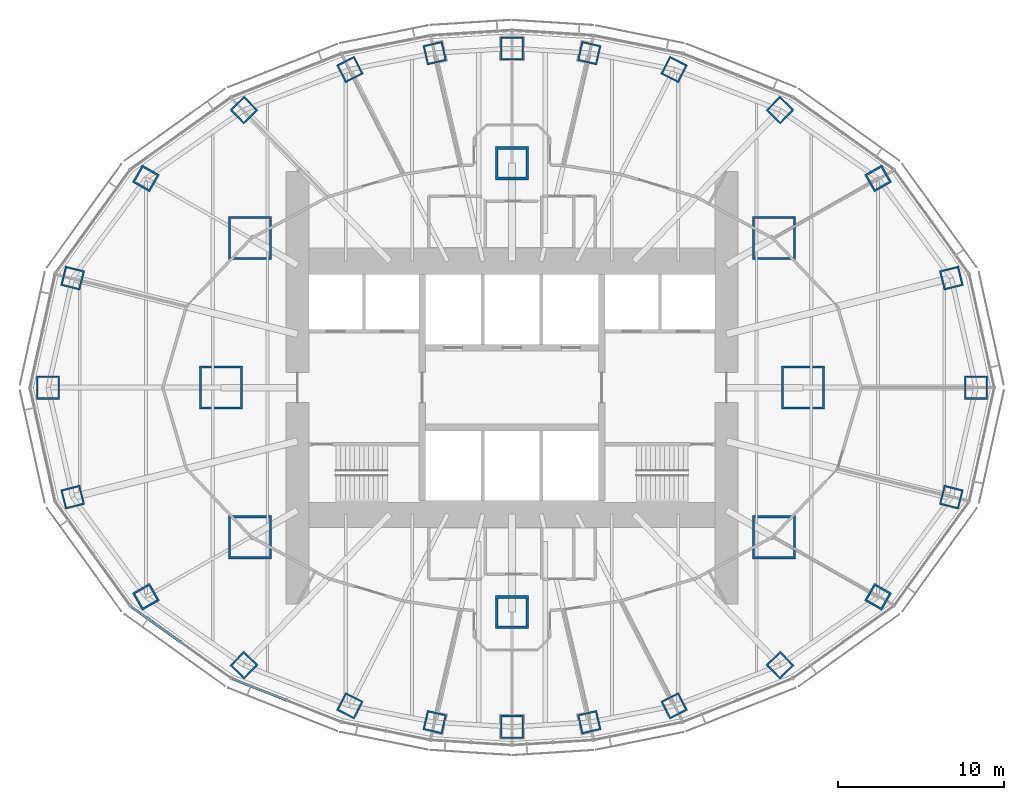
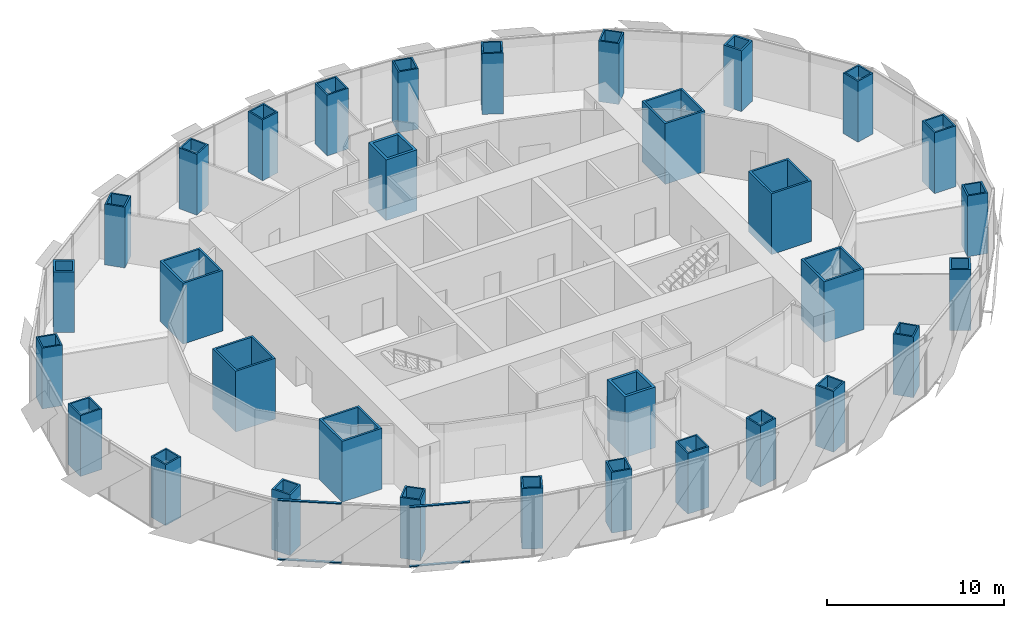
# One storey, part 1 of 18: 32 columns, 4 members, 2 elements without a shape of their own.
"""IFC4 building model written with IfcOpenShell, lengths in metres."""

from ifc_helpers import new_model, si_unit, direction, frame, origin, origin_2d, place, context, subcontext, project, spatial, rectangle, hollow_rectangle, extrude, material, material_profile, profile_set, type_object, element, aggregate, save


model = new_model("IFC4")

# Units and contexts
model_context = context("Model", 3, precision=1e-05, world=origin(), true_north=direction((0.0, 1.0)))
body_context = subcontext(model_context, "Body", "Model", "MODEL_VIEW")
ifc_project = project(units=[si_unit("LENGTHUNIT", "METRE"), si_unit("AREAUNIT", "SQUARE_METRE"), si_unit("VOLUMEUNIT", "CUBIC_METRE"), si_unit("PLANEANGLEUNIT", "RADIAN"), si_unit("MASSUNIT", "GRAM", prefix="KILO")], contexts=[model_context])

# Site, building, storey
site_placement = place(None, origin())
site = spatial("IfcSite", under=ifc_project, at=site_placement, CompositionType="ELEMENT")
building_placement = place(site_placement, origin())
building = spatial("IfcBuilding", under=site, at=building_placement, Name="Lantaw Convention Tower", CompositionType="ELEMENT")
storey_placement = place(building_placement, frame((0.0, 0.0, 146.800048828125)))
storey = spatial("IfcBuildingStorey", under=building, at=storey_placement, Name="L34", CompositionType="ELEMENT", Elevation=146.800048828125)

# Columns
ifc_material_1 = material(Name="Steel EN 10025-3 S460N", Category="steel")
ifc_material_profile_1 = material_profile(ifc_material_1, hollow_rectangle(XDim=2.0, YDim=2.0, WallThickness=0.169921875, at=origin_2d()), Name="BOX2000X170")
ifc_material_2 = material(Name="Concrete C60/75", Category="concrete")
ifc_material_profile_2 = material_profile(ifc_material_2, rectangle(XDim=1.659912109375, YDim=1.659912109375, at=origin_2d()), Name="Concrete fill of BOX2000X170")
ifc_profile_set_1 = profile_set([ifc_material_profile_1, ifc_material_profile_2], Name="Steel EN 10025-3 S460N")
column_type_1 = type_object("IfcColumnType", Name="Column MC BOX2000X170", PredefinedType="COLUMN", material=ifc_profile_set_1)
for number, where, z_axis, x_axis, name in (
    (1, (0.0, 13.5, 0.0), (0.0, 0.0, 1.0), (1.0, 0.0, 0.0), "Mega column M3"),
    (2, (0.0, -13.5, 0.0), (0.0, 0.0, 1.0), (1.0, 0.0, 0.0), "Mega column M7"),
):
    element("IfcColumn", number, at=place(storey_placement, frame(where, z_axis=z_axis, x_axis=x_axis)), inside=storey, type_object=column_type_1, Name=name, PredefinedType="COLUMN", context=body_context, shape_type="SweptSolid", body=[
        extrude(hollow_rectangle(XDim=2.0, YDim=2.0, WallThickness=0.169921875, at=origin_2d()), origin(), (0.0, 0.0, 1.0), 4.199951171875),
    ])
ifc_material_profile_3 = material_profile(ifc_material_1, hollow_rectangle(XDim=2.60009765625, YDim=2.60009765625, WallThickness=0.1298828125, at=origin_2d()), Name="BOX2600X130")
ifc_material_profile_4 = material_profile(ifc_material_2, rectangle(XDim=2.340087890625, YDim=2.340087890625, at=origin_2d()), Name="Concrete fill of BOX2600X130")
ifc_profile_set_2 = profile_set([ifc_material_profile_3, ifc_material_profile_4], Name="Steel EN 10025-3 S460N")
column_type_2 = type_object("IfcColumnType", Name="Column MC BOX2600X130", PredefinedType="COLUMN", material=ifc_profile_set_2)
for number, where, z_axis, x_axis, name in (
    (3, (17.5, 0.0, 0.0), (0.0, 0.0, 1.0), (1.0, 0.0, 0.0), "Mega column M1"),
    (4, (15.75, 9.0, 0.0), (0.0, 0.0, 1.0), (1.0, 0.0, 0.0), "Mega column M2"),
    (5, (-15.75, 9.0, 0.0), (0.0, 0.0, 1.0), (1.0, 0.0, 0.0), "Mega column M4"),
    (6, (-17.5, 0.0, 0.0), (0.0, 0.0, 1.0), (1.0, 0.0, 0.0), "Mega column M5"),
    (7, (-15.75, -9.0, 0.0), (0.0, 0.0, 1.0), (1.0, 0.0, 0.0), "Mega column M6"),
    (8, (15.75, -9.0, 0.0), (0.0, 0.0, 1.0), (1.0, 0.0, 0.0), "Mega column M8"),
):
    element("IfcColumn", number, at=place(storey_placement, frame(where, z_axis=z_axis, x_axis=x_axis)), inside=storey, type_object=column_type_2, Name=name, PredefinedType="COLUMN", context=body_context, shape_type="SweptSolid", body=[
        extrude(hollow_rectangle(XDim=2.60009765625, YDim=2.60009765625, WallThickness=0.1298828125, at=origin_2d()), origin(), (0.0, 0.0, 1.0), 4.199951171875),
    ])
ifc_material_profile_5 = material_profile(ifc_material_1, hollow_rectangle(XDim=1.199951171875, YDim=1.199951171875, WallThickness=0.10009765625, at=origin_2d()), Name="BOX1200X100")
ifc_material_profile_6 = material_profile(ifc_material_2, rectangle(XDim=1.0, YDim=1.0, at=origin_2d()), Name="Concrete fill of BOX1200X100")
ifc_profile_set_3 = profile_set([ifc_material_profile_5, ifc_material_profile_6], Name="Steel EN 10025-3 S460N")
column_type_3 = type_object("IfcColumnType", Name="Column PC BOX1200X100", PredefinedType="COLUMN", material=ifc_profile_set_3)
for number, where, z_axis, x_axis, name in (
    (9, (26.419921875, 6.587158203125, 0.0), (0.0, 0.0, 1.0), (0.970295726276, 0.2419218956, 0.0), "Perimeter column P2"),
    (10, (16.11767578125, 16.690185546875, 0.0), (0.0, 0.0, 1.0), (0.694658370459, 0.719339800339, 0.0), "Perimeter column P4"),
    (11, (9.74853515625, 19.1328125, 0.0), (0.0, 0.0, 1.0), (0.45399049974, 0.891006524188, 0.0), "Perimeter column P5"),
    (12, (4.64501953125, 20.1201171875, 0.0), (0.0, 0.0, 1.0), (0.224951054344, 0.974370064785, 0.0), "Perimeter column P6"),
    (13, (-4.64501953125, 20.1201171875, 0.0), (0.0, 0.0, 1.0), (0.974370064785, 0.224951054344, 0.0), "Perimeter column P8"),
    (14, (-9.74853515625, 19.1328125, 0.0), (0.0, 0.0, 1.0), (0.891006524188, 0.45399049974, 0.0), "Perimeter column P9"),
    (15, (-16.11767578125, 16.690185546875, 0.0), (0.0, 0.0, 1.0), (0.719339800339, 0.694658370459, 0.0), "Perimeter column P10"),
    (16, (-26.419921875, 6.587158203125, 0.0), (0.0, 0.0, 1.0), (0.2419218956, 0.970295726276, 0.0), "Perimeter column P12"),
    (17, (-26.419921875, -6.587158203125, 0.0), (0.0, 0.0, 1.0), (0.970295726276, 0.2419218956, 0.0), "Perimeter column P14"),
    (18, (-16.11767578125, -16.690185546875, 0.0), (0.0, 0.0, 1.0), (0.694658370459, 0.719339800339, 0.0), "Perimeter column P16"),
    (19, (-9.74853515625, -19.1328125, 0.0), (0.0, 0.0, 1.0), (0.45399049974, 0.891006524188, 0.0), "Perimeter column P17"),
    (20, (-4.64501953125, -20.1201171875, 0.0), (0.0, 0.0, 1.0), (0.224951054344, 0.974370064785, 0.0), "Perimeter column P18"),
    (21, (4.64501953125, -20.1201171875, 0.0), (0.0, 0.0, 1.0), (0.974370064785, 0.224951054344, 0.0), "Perimeter column P20"),
    (22, (9.74853515625, -19.1328125, 0.0), (0.0, 0.0, 1.0), (0.891006524188, 0.45399049974, 0.0), "Perimeter column P21"),
    (23, (16.11767578125, -16.690185546875, 0.0), (0.0, 0.0, 1.0), (0.719339800339, 0.694658370459, 0.0), "Perimeter column P22"),
    (24, (26.419921875, -6.587158203125, 0.0), (0.0, 0.0, 1.0), (0.2419218956, 0.970295726276, 0.0), "Perimeter column P24"),
):
    element("IfcColumn", number, at=place(storey_placement, frame(where, z_axis=z_axis, x_axis=x_axis)), inside=storey, type_object=column_type_3, Name=name, PredefinedType="COLUMN", context=body_context, shape_type="SweptSolid", body=[
        extrude(hollow_rectangle(XDim=1.199951171875, YDim=1.199951171875, WallThickness=0.10009765625, at=origin_2d()), origin(), (0.0, 0.0, 1.0), 4.199951171875),
    ])
ifc_material_profile_7 = material_profile(ifc_material_1, hollow_rectangle(XDim=1.199951171875, YDim=1.199951171875, WallThickness=0.1201171875, at=origin_2d()), Name="BOX1200X120")
ifc_material_profile_8 = material_profile(ifc_material_2, rectangle(XDim=0.9599609375, YDim=0.9599609375, at=origin_2d()), Name="Concrete fill of BOX1200X120")
ifc_profile_set_4 = profile_set([ifc_material_profile_7, ifc_material_profile_8], Name="Steel EN 10025-3 S460N")
column_type_4 = type_object("IfcColumnType", Name="Column PC BOX1200X120", PredefinedType="COLUMN", material=ifc_profile_set_4)
for number, where, z_axis, x_axis, name in (
    (25, (22.013916015625, 12.579345703125, 0.0), (0.0, 0.0, 1.0), (0.86824298017, 0.496139221777, 0.0), "Perimeter column P3"),
    (26, (-22.013916015625, 12.579345703125, 0.0), (0.0, 0.0, 1.0), (0.496139221777, 0.86824298017, 0.0), "Perimeter column P11"),
    (27, (-22.013916015625, -12.579345703125, 0.0), (0.0, 0.0, 1.0), (0.86824298017, 0.496139221777, 0.0), "Perimeter column P15"),
    (28, (22.013916015625, -12.579345703125, 0.0), (0.0, 0.0, 1.0), (0.496139221777, 0.86824298017, 0.0), "Perimeter column P23"),
):
    element("IfcColumn", number, at=place(storey_placement, frame(where, z_axis=z_axis, x_axis=x_axis)), inside=storey, type_object=column_type_4, Name=name, PredefinedType="COLUMN", context=body_context, shape_type="SweptSolid", body=[
        extrude(hollow_rectangle(XDim=1.199951171875, YDim=1.199951171875, WallThickness=0.1201171875, at=origin_2d()), origin(), (0.0, 0.0, 1.0), 4.199951171875),
    ])
ifc_material_profile_9 = material_profile(ifc_material_1, hollow_rectangle(XDim=1.39990234375, YDim=1.39990234375, WallThickness=0.10009765625, at=origin_2d()), Name="BOX1400X100")
ifc_material_profile_10 = material_profile(ifc_material_2, rectangle(XDim=1.199951171875, YDim=1.199951171875, at=origin_2d()), Name="Concrete fill of BOX1400X100")
ifc_profile_set_5 = profile_set([ifc_material_profile_9, ifc_material_profile_10], Name="Steel EN 10025-3 S460N")
column_type_5 = type_object("IfcColumnType", Name="Column PC BOX1400X100", PredefinedType="COLUMN", material=ifc_profile_set_5)
for number, where, z_axis, x_axis, name in (
    (29, (27.89990234375, 0.0, 0.0), (0.0, 0.0, 1.0), (1.0, 0.0, 0.0), "Perimeter column P1"),
    (30, (0.0, 20.39990234375, 0.0), (0.0, 0.0, 1.0), (1.0, 0.0, 0.0), "Perimeter column P7"),
    (31, (-27.89990234375, 0.0, 0.0), (0.0, 0.0, 1.0), (1.0, 0.0, 0.0), "Perimeter column P13"),
    (32, (0.0, -20.39990234375, 0.0), (0.0, 0.0, 1.0), (1.0, 0.0, 0.0), "Perimeter column P19"),
):
    element("IfcColumn", number, at=place(storey_placement, frame(where, z_axis=z_axis, x_axis=x_axis)), inside=storey, type_object=column_type_5, Name=name, PredefinedType="COLUMN", context=body_context, shape_type="SweptSolid", body=[
        extrude(hollow_rectangle(XDim=1.39990234375, YDim=1.39990234375, WallThickness=0.10009765625, at=origin_2d()), origin(), (0.0, 0.0, 1.0), 4.199951171875),
    ])

# Curtain wall, members
ifc_material_3 = material(Name="Aluminium framed curtain wall", Category="aluminium")
curtain_wall_type = type_object("IfcCurtainWallType", Name="Office curtain wall low rise, pale aluminium", PredefinedType="USERDEFINED", material=ifc_material_3)
curtain_wall_1_placement = place(storey_placement, origin())
curtain_wall_1 = element("IfcCurtainWall", 33, at=curtain_wall_1_placement, inside=storey, type_object=curtain_wall_type, Name="Office curtain wall low rise, pale aluminium L34", ObjectType="UNITISED CURTAIN WALL", PredefinedType="USERDEFINED")
ifc_material_4 = material(Name="Aluminium 6063-T6", Category="aluminium")
ifc_material_profile_11 = material_profile(ifc_material_4, rectangle(XDim=0.159912109375, YDim=0.06494140625, at=origin_2d()), Name="CW-O1 transom 65x160")
ifc_profile_set_6 = profile_set([ifc_material_profile_11], Name="Aluminium 6063-T6")
member_type = type_object("IfcMemberType", Name="CW-O1 transom 65x160", PredefinedType="USERDEFINED", material=ifc_profile_set_6)
member_1_placement = place(storey_placement, frame((-22.916259765625, -13.1630859375, -0.117431640625), z_axis=(0.813221785972, -0.581953887194, 0.0), x_axis=(0.581953887194, 0.813221785972, 0.0)))
member_1 = element("IfcMember", 34, at=member_1_placement, type_object=member_type, Name="CW-O1 transom 1.1", ObjectType="TRANSOM", PredefinedType="USERDEFINED", context=body_context, shape_type="SweptSolid", body=[
    extrude(rectangle(XDim=0.159912109375, YDim=0.06494140625, at=origin_2d()), origin(), (0.0, 0.0, 1.0), 3.645263671875),
])
member_2_placement = place(storey_placement, frame((-22.916259765625, -13.1630859375, 3.967529296875), z_axis=(0.813221785972, -0.581953887194, 0.0), x_axis=(0.581953887194, 0.813221785972, 0.0)))
member_2 = element("IfcMember", 35, at=member_2_placement, type_object=member_type, Name="CW-O1 transom 1.2", ObjectType="TRANSOM", PredefinedType="USERDEFINED", context=body_context, shape_type="SweptSolid", body=[
    extrude(rectangle(XDim=0.159912109375, YDim=0.06494140625, at=origin_2d()), origin(), (0.0, 0.0, 1.0), 3.645263671875),
])
aggregate(curtain_wall_1, [member_1, member_2])

curtain_wall_2_placement = place(storey_placement, origin())
curtain_wall_2 = element("IfcCurtainWall", 36, at=curtain_wall_2_placement, inside=storey, type_object=curtain_wall_type, Name="Office curtain wall low rise, pale aluminium L34", ObjectType="UNITISED CURTAIN WALL", PredefinedType="USERDEFINED")
member_3_placement = place(storey_placement, frame((-16.8212890625, -17.505615234375, -0.117431640625), z_axis=(0.929564188507, -0.368660303592, 0.0), x_axis=(0.368660303592, 0.929564188507, 0.0)))
member_3 = element("IfcMember", 37, at=member_3_placement, type_object=member_type, Name="CW-O1 transom 1.1", ObjectType="TRANSOM", PredefinedType="USERDEFINED", context=body_context, shape_type="SweptSolid", body=[
    extrude(rectangle(XDim=0.159912109375, YDim=0.06494140625, at=origin_2d()), origin(), (0.0, 0.0, 1.0), 3.470703125),
])
member_4_placement = place(storey_placement, frame((-16.8212890625, -17.505615234375, 3.967529296875), z_axis=(0.929564188507, -0.368660303592, 0.0), x_axis=(0.368660303592, 0.929564188507, 0.0)))
member_4 = element("IfcMember", 38, at=member_4_placement, type_object=member_type, Name="CW-O1 transom 1.2", ObjectType="TRANSOM", PredefinedType="USERDEFINED", context=body_context, shape_type="SweptSolid", body=[
    extrude(rectangle(XDim=0.159912109375, YDim=0.06494140625, at=origin_2d()), origin(), (0.0, 0.0, 1.0), 3.470703125),
])
aggregate(curtain_wall_2, [member_3, member_4])

save(model, "model.ifc")
